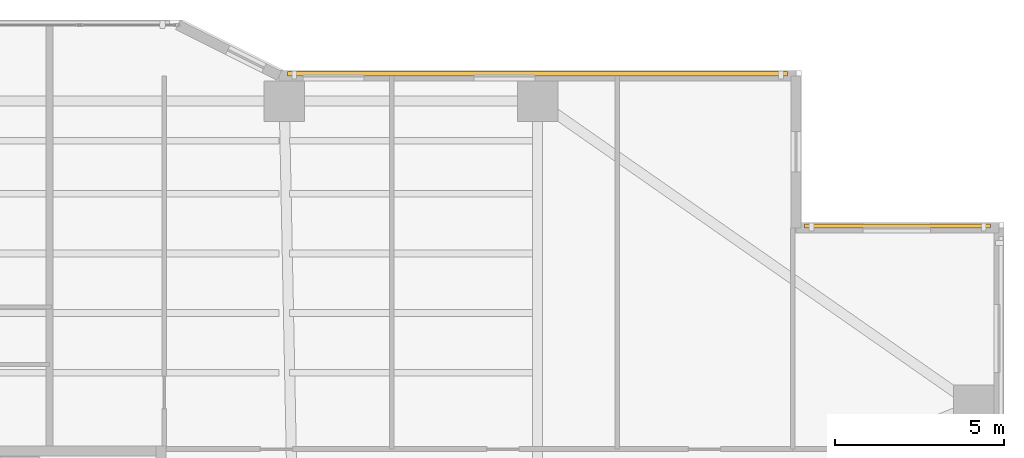
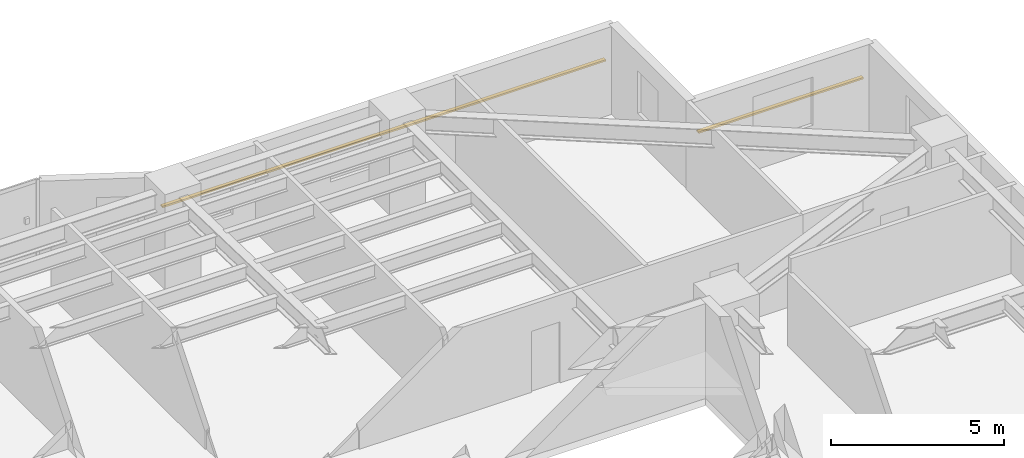
# One storey, part 19 of 19: 2 shading devices.
"""IFC4 building model written with IfcOpenShell, lengths in metres."""

from ifc_helpers import new_model, si_unit, direction, frame, origin, origin_2d, place, context, subcontext, project, spatial, rectangle, extrude, material, material_profile, profile_set, type_object, element, save


model = new_model("IFC4")

# Units and contexts
model_context = context("Model", 3, precision=1e-05, world=origin(), true_north=direction((0.0, 1.0)))
body_context = subcontext(model_context, "Body", "Model", "MODEL_VIEW")
ifc_project = project(units=[si_unit("LENGTHUNIT", "METRE"), si_unit("AREAUNIT", "SQUARE_METRE"), si_unit("VOLUMEUNIT", "CUBIC_METRE"), si_unit("PLANEANGLEUNIT", "RADIAN"), si_unit("MASSUNIT", "GRAM", prefix="KILO")], contexts=[model_context])

# Site, building, storey
site_placement = place(None, origin())
site = spatial("IfcSite", under=ifc_project, at=site_placement, CompositionType="ELEMENT")
building_placement = place(site_placement, origin())
building = spatial("IfcBuilding", under=site, at=building_placement, Name="Tarnavaz Court Tower", CompositionType="ELEMENT")
storey_placement = place(building_placement, frame((0.0, 0.0, 50.800048828125)))
storey = spatial("IfcBuildingStorey", under=building, at=storey_placement, Name="L13", CompositionType="ELEMENT", Elevation=50.800048828125)

# Shading devices
ifc_material = material(Name="Kiln-Fired Khorasan Terracotta Ceramic", Category="masonry")
ifc_material_profile = material_profile(ifc_material, rectangle(XDim=0.1201171875, YDim=0.06005859375, at=origin_2d()), Name="TC BAGUETTE 120X60")
ifc_profile_set = profile_set([ifc_material_profile], Name="Kiln-Fired Khorasan Terracotta Ceramic")
shading_device_type = type_object("IfcShadingDeviceType", Name="SD-BAG-120", PredefinedType="USERDEFINED", material=ifc_profile_set)
shading_device_1_placement = place(storey_placement, frame((7.60009765625, 23.610107421875, 1.849853515625), z_axis=(1.0, 0.0, 0.0), x_axis=(0.0, 1.0, 0.0)))
element("IfcShadingDevice", 1, at=shading_device_1_placement, inside=storey, type_object=shading_device_type, Name="L13 Terracotta Baguette Screen FBG09", ObjectType="BAGUETTE", PredefinedType="USERDEFINED", context=body_context, shape_type="SweptSolid", body=[
    extrude(rectangle(XDim=0.1201171875, YDim=0.06005859375, at=origin_2d()), origin(), (0.0, 0.0, 1.0), 14.7998046875),
])
shading_device_2_placement = place(storey_placement, frame((22.89990234375, 19.110107421875, 1.849853515625), z_axis=(1.0, 0.0, 0.0), x_axis=(0.0, 1.0, 0.0)))
element("IfcShadingDevice", 2, at=shading_device_2_placement, inside=storey, type_object=shading_device_type, Name="L13 Terracotta Baguette Screen FBG11", ObjectType="BAGUETTE", PredefinedType="USERDEFINED", context=body_context, shape_type="SweptSolid", body=[
    extrude(rectangle(XDim=0.1201171875, YDim=0.06005859375, at=origin_2d()), origin(), (0.0, 0.0, 1.0), 5.5),
])

save(model, "model.ifc")
